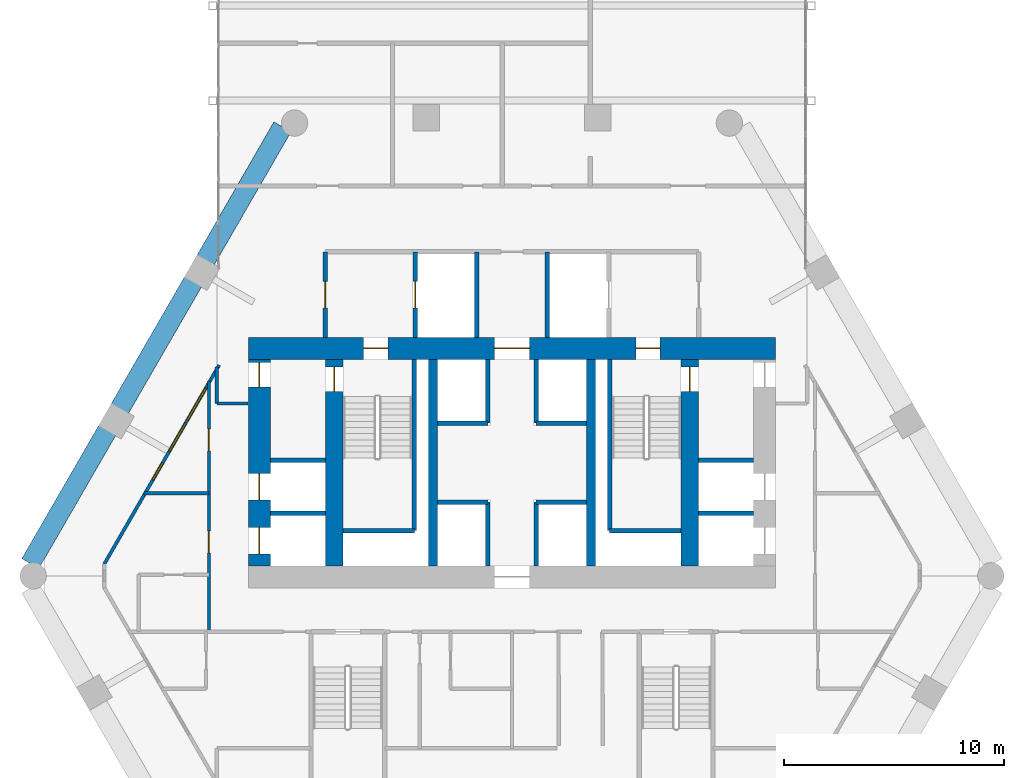
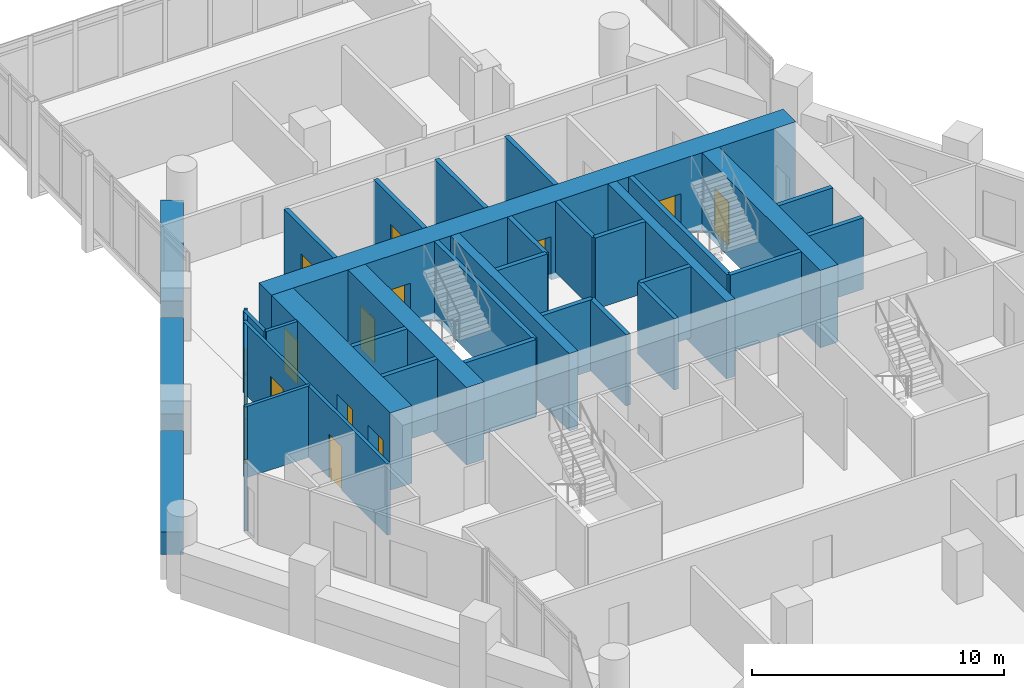
# One storey, part 25 of 28: 34 walls, 12 doors, 3 windows, 15 openings.
"""IFC4 building model written with IfcOpenShell, lengths in metres."""

from ifc_helpers import new_model, si_unit, direction, frame, frame_2d, origin, place, context, subcontext, project, spatial, rectangle, extrude, material, layer, layer_set, type_object, element, fill, save


model = new_model("IFC4")

# Units and contexts
model_context = context("Model", 3, precision=1e-05, world=origin(), true_north=direction((0.0, 1.0)))
body_context = subcontext(model_context, "Body", "Model", "MODEL_VIEW")
ifc_project = project(units=[si_unit("LENGTHUNIT", "METRE"), si_unit("AREAUNIT", "SQUARE_METRE"), si_unit("VOLUMEUNIT", "CUBIC_METRE"), si_unit("PLANEANGLEUNIT", "RADIAN"), si_unit("MASSUNIT", "GRAM", prefix="KILO")], contexts=[model_context])

# Site, building, storey
site_placement = place(None, origin())
site = spatial("IfcSite", under=ifc_project, at=site_placement, CompositionType="ELEMENT")
building_placement = place(site_placement, origin())
building = spatial("IfcBuilding", under=site, at=building_placement, Name="Ostrander Bayou Hotel Tower", CompositionType="ELEMENT")
storey_placement = place(building_placement, frame((0.0, 0.0, 142.25)))
storey = spatial("IfcBuildingStorey", under=building, at=storey_placement, Name="L35", CompositionType="ELEMENT", Elevation=142.25)

# Wall, openings, doors
ifc_material_1 = material(Name="Concrete f'c 70 MPa", Category="concrete")
ifc_layer_1 = layer(ifc_material_1, 1.0)
ifc_layer_set_1 = layer_set([ifc_layer_1], Name="CW4 core wall 1000 mm f'c 70 MPa")
wall_type_1 = type_object("IfcWallType", Name="CW4 core wall 1000 mm f'c 70 MPa", PredefinedType="SHEAR", material=ifc_layer_set_1)
wall_1_placement = place(storey_placement, frame((-12.0, 9.199951171875, -0.300048828125), z_axis=(0.0, 0.0, 1.0), x_axis=(1.0, 0.0, 0.0)))
wall_1 = element("IfcWall", 1, at=wall_1_placement, inside=storey, type_object=wall_type_1, Name="CW4 L35 N", PredefinedType="SHEAR", context=body_context, shape_type="SweptSolid", body=[
    extrude(rectangle(XDim=24.0, YDim=1.0, at=frame_2d((12.0, 0.0))), origin(), (0.0, 0.0, 1.0), 3.75),
])
opening_1_placement = place(wall_1_placement, frame((11.199951171875, 0.0, 0.0)))
opening_1 = element("IfcOpeningElement", 2, at=opening_1_placement, cuts=wall_1, Name="Opening T34-002", PredefinedType="OPENING", context=body_context, shape_type="SweptSolid", body=[
    extrude(rectangle(XDim=1.60009765625, YDim=2.10009765625, at=frame_2d((0.800048828125, 1.050048828125))), frame((0.0, 0.5, 0.0), z_axis=(0.0, -1.0, 0.0), x_axis=(1.0, 0.0, 0.0)), (0.0, 0.0, 1.0), 1.0),
])
opening_2_placement = place(wall_1_placement, frame((5.25, 0.0, 0.0)))
opening_2 = element("IfcOpeningElement", 3, at=opening_2_placement, cuts=wall_1, Name="Opening T34-003", PredefinedType="OPENING", context=body_context, shape_type="SweptSolid", body=[
    extrude(rectangle(XDim=1.10009765625, YDim=2.10009765625, at=frame_2d((0.550048828125, 1.050048828125))), frame((0.0, 0.5, 0.0), z_axis=(0.0, -1.0, 0.0), x_axis=(1.0, 0.0, 0.0)), (0.0, 0.0, 1.0), 1.0),
])
opening_3_placement = place(wall_1_placement, frame((17.64990234375, 0.0, 0.0)))
opening_3 = element("IfcOpeningElement", 4, at=opening_3_placement, cuts=wall_1, Name="Opening T34-005", PredefinedType="OPENING", context=body_context, shape_type="SweptSolid", body=[
    extrude(rectangle(XDim=1.10009765625, YDim=2.10009765625, at=frame_2d((0.550048828125, 1.050048828125))), frame((0.0, 0.5, 0.0), z_axis=(0.0, -1.0, 0.0), x_axis=(1.0, 0.0, 0.0)), (0.0, 0.0, 1.0), 1.0),
])
ifc_material_2 = material(Name="Timber door leaf", Category="wood")
door_type_1 = type_object("IfcDoorType", Name="D13 double door 1600 x 2100 mm, 1 hour", OperationType="SINGLE_SWING_LEFT", PredefinedType="DOOR", material=ifc_material_2)
door_1_placement = place(opening_1_placement, origin())
door_1 = element("IfcDoor", 5, at=door_1_placement, inside=storey, type_object=door_type_1, Name="dr:L35:002", OperationType="DOUBLE_DOOR_SINGLE_SWING", OverallHeight=2.10009765625, OverallWidth=1.60009765625, PredefinedType="DOOR", context=body_context, shape_type="SweptSolid", body=[
    extrude(rectangle(XDim=1.60009765625, YDim=2.10009765625, at=frame_2d((0.800048828125, 1.050048828125))), frame((0.0, 0.02490234375, 0.0), z_axis=(0.0, -1.0, 0.0), x_axis=(1.0, 0.0, 0.0)), (0.0, 0.0, 1.0), 0.050048828125),
])
fill(opening_1, door_1)
ifc_material_3 = material(Name="Timber door leaf", Category="wood")
door_type_2 = type_object("IfcDoorType", Name="D5 stair door 1100 x 2100 mm, 90 minute", OperationType="SINGLE_SWING_LEFT", PredefinedType="DOOR", material=ifc_material_3)
door_2_placement = place(opening_2_placement, origin())
door_2 = element("IfcDoor", 6, at=door_2_placement, inside=storey, type_object=door_type_2, Name="dr:L35:003", OperationType="SINGLE_SWING_LEFT", OverallHeight=2.10009765625, OverallWidth=1.10009765625, PredefinedType="DOOR", context=body_context, shape_type="SweptSolid", body=[
    extrude(rectangle(XDim=1.10009765625, YDim=2.10009765625, at=frame_2d((0.550048828125, 1.050048828125))), frame((0.0, 0.02490234375, 0.0), z_axis=(0.0, -1.0, 0.0), x_axis=(1.0, 0.0, 0.0)), (0.0, 0.0, 1.0), 0.050048828125),
])
fill(opening_2, door_2)
door_3_placement = place(opening_3_placement, origin())
door_3 = element("IfcDoor", 7, at=door_3_placement, inside=storey, type_object=door_type_2, Name="dr:L35:005", OperationType="SINGLE_SWING_RIGHT", OverallHeight=2.10009765625, OverallWidth=1.10009765625, PredefinedType="DOOR", context=body_context, shape_type="SweptSolid", body=[
    extrude(rectangle(XDim=1.10009765625, YDim=2.10009765625, at=frame_2d((0.550048828125, 1.050048828125))), frame((0.0, 0.02490234375, 0.0), z_axis=(0.0, -1.0, 0.0), x_axis=(1.0, 0.0, 0.0)), (0.0, 0.0, 1.0), 0.050048828125),
])
fill(opening_3, door_3)

wall_2_placement = place(storey_placement, frame((-11.5, -0.699951171875, -0.300048828125), z_axis=(0.0, 0.0, 1.0), x_axis=(0.0, 1.0, 0.0)))
wall_2 = element("IfcWall", 8, at=wall_2_placement, inside=storey, type_object=wall_type_1, Name="CW4 L35 RW", PredefinedType="SHEAR", context=body_context, shape_type="SweptSolid", body=[
    extrude(rectangle(XDim=9.39990234375, YDim=1.0, at=frame_2d((4.699951171875, 0.0))), origin(), (0.0, 0.0, 1.0), 3.75),
])
opening_4_placement = place(wall_2_placement, frame((8.14990234375, 0.0, 0.0)))
opening_4 = element("IfcOpeningElement", 9, at=opening_4_placement, cuts=wall_2, Name="Opening T34-014", PredefinedType="OPENING", context=body_context, shape_type="SweptSolid", body=[
    extrude(rectangle(XDim=1.10009765625, YDim=2.10009765625, at=frame_2d((0.550048828125, 1.050048828125))), frame((0.0, 0.5, 0.0), z_axis=(0.0, -1.0, 0.0), x_axis=(1.0, 0.0, 0.0)), (0.0, 0.0, 1.0), 1.0),
])
opening_5_placement = place(wall_2_placement, frame((0.550048828125, 0.0, 0.0)))
opening_5 = element("IfcOpeningElement", 10, at=opening_5_placement, cuts=wall_2, Name="Opening T34-015", PredefinedType="OPENING", context=body_context, shape_type="SweptSolid", body=[
    extrude(rectangle(XDim=1.199951171875, YDim=2.10009765625, at=frame_2d((0.60009765625, 1.050048828125))), frame((0.0, 0.5, 0.0), z_axis=(0.0, -1.0, 0.0), x_axis=(1.0, 0.0, 0.0)), (0.0, 0.0, 1.0), 1.0),
])
opening_6_placement = place(wall_2_placement, frame((3.0, 0.0, 0.0)))
opening_6 = element("IfcOpeningElement", 11, at=opening_6_placement, cuts=wall_2, Name="Opening T34-016", PredefinedType="OPENING", context=body_context, shape_type="SweptSolid", body=[
    extrude(rectangle(XDim=1.199951171875, YDim=2.10009765625, at=frame_2d((0.60009765625, 1.050048828125))), frame((0.0, 0.5, 0.0), z_axis=(0.0, -1.0, 0.0), x_axis=(1.0, 0.0, 0.0)), (0.0, 0.0, 1.0), 1.0),
])
door_4_placement = place(opening_4_placement, origin())
door_4 = element("IfcDoor", 12, at=door_4_placement, inside=storey, type_object=door_type_2, Name="dr:L35:014", OperationType="SINGLE_SWING_LEFT", OverallHeight=2.10009765625, OverallWidth=1.10009765625, PredefinedType="DOOR", context=body_context, shape_type="SweptSolid", body=[
    extrude(rectangle(XDim=1.10009765625, YDim=2.10009765625, at=frame_2d((0.550048828125, 1.050048828125))), frame((0.0, 0.02490234375, 0.0), z_axis=(0.0, -1.0, 0.0), x_axis=(1.0, 0.0, 0.0)), (0.0, 0.0, 1.0), 0.050048828125),
])
fill(opening_4, door_4)
ifc_material_4 = material(Name="Stainless steel sliding door", Category="steel")
door_type_3 = type_object("IfcDoorType", Name="LD1 lift landing door 1200 x 2100 mm", OperationType="SINGLE_SWING_LEFT", PredefinedType="DOOR", material=ifc_material_4)
door_5_placement = place(opening_5_placement, origin())
door_5 = element("IfcDoor", 13, at=door_5_placement, inside=storey, type_object=door_type_3, Name="dr:L35:015", OperationType="SLIDING_TO_LEFT", OverallHeight=2.10009765625, OverallWidth=1.199951171875, PredefinedType="DOOR", context=body_context, shape_type="SweptSolid", body=[
    extrude(rectangle(XDim=1.199951171875, YDim=2.10009765625, at=frame_2d((0.60009765625, 1.050048828125))), frame((0.0, 0.02490234375, 0.0), z_axis=(0.0, -1.0, 0.0), x_axis=(1.0, 0.0, 0.0)), (0.0, 0.0, 1.0), 0.050048828125),
])
fill(opening_5, door_5)
door_6_placement = place(opening_6_placement, origin())
door_6 = element("IfcDoor", 14, at=door_6_placement, inside=storey, type_object=door_type_3, Name="dr:L35:016", OperationType="SLIDING_TO_LEFT", OverallHeight=2.10009765625, OverallWidth=1.199951171875, PredefinedType="DOOR", context=body_context, shape_type="SweptSolid", body=[
    extrude(rectangle(XDim=1.199951171875, YDim=2.10009765625, at=frame_2d((0.60009765625, 1.050048828125))), frame((0.0, 0.02490234375, 0.0), z_axis=(0.0, -1.0, 0.0), x_axis=(1.0, 0.0, 0.0)), (0.0, 0.0, 1.0), 0.050048828125),
])
fill(opening_6, door_6)

# Wall, opening, door
ifc_material_5 = material(Name="Concrete f'c 70 MPa", Category="concrete")
ifc_layer_2 = layer(ifc_material_5, 0.800048828125)
ifc_layer_set_2 = layer_set([ifc_layer_2], Name="CW5 core spine wall 800 mm f'c 70 MPa")
wall_type_2 = type_object("IfcWallType", Name="CW5 core spine wall 800 mm f'c 70 MPa", PredefinedType="SHEAR", material=ifc_layer_set_2)
wall_3_placement = place(storey_placement, frame((-8.10009765625, -0.699951171875, -0.300048828125), z_axis=(0.0, 0.0, 1.0), x_axis=(0.0, 1.0, 0.0)))
wall_3 = element("IfcWall", 15, at=wall_3_placement, inside=storey, type_object=wall_type_2, Name="CW5 L35 W", PredefinedType="SHEAR", context=body_context, shape_type="SweptSolid", body=[
    extrude(rectangle(XDim=9.39990234375, YDim=0.800048828125, at=frame_2d((4.699951171875, 0.0))), origin(), (0.0, 0.0, 1.0), 3.75),
])
opening_7_placement = place(wall_3_placement, frame((7.949951171875, 0.0, 0.0)))
opening_7 = element("IfcOpeningElement", 16, at=opening_7_placement, cuts=wall_3, Name="Opening T34-004", PredefinedType="OPENING", context=body_context, shape_type="SweptSolid", body=[
    extrude(rectangle(XDim=1.10009765625, YDim=2.10009765625, at=frame_2d((0.550048828125, 1.050048828125))), frame((0.0, 0.39990234375, 0.0), z_axis=(0.0, -1.0, 0.0), x_axis=(1.0, 0.0, 0.0)), (0.0, 0.0, 1.0), 0.800048828125),
])
door_7_placement = place(opening_7_placement, origin())
door_7 = element("IfcDoor", 17, at=door_7_placement, inside=storey, type_object=door_type_2, Name="dr:L35:004", OperationType="SINGLE_SWING_RIGHT", OverallHeight=2.10009765625, OverallWidth=1.10009765625, PredefinedType="DOOR", context=body_context, shape_type="SweptSolid", body=[
    extrude(rectangle(XDim=1.10009765625, YDim=2.10009765625, at=frame_2d((0.550048828125, 1.050048828125))), frame((0.0, 0.02490234375, 0.0), z_axis=(0.0, -1.0, 0.0), x_axis=(1.0, 0.0, 0.0)), (0.0, 0.0, 1.0), 0.050048828125),
])
fill(opening_7, door_7)

wall_4_placement = place(storey_placement, frame((8.10009765625, -0.699951171875, -0.300048828125), z_axis=(0.0, 0.0, 1.0), x_axis=(0.0, 1.0, 0.0)))
wall_4 = element("IfcWall", 18, at=wall_4_placement, inside=storey, type_object=wall_type_2, Name="CW5 L35 E", PredefinedType="SHEAR", context=body_context, shape_type="SweptSolid", body=[
    extrude(rectangle(XDim=9.39990234375, YDim=0.800048828125, at=frame_2d((4.699951171875, 0.0))), origin(), (0.0, 0.0, 1.0), 3.75),
])
opening_8_placement = place(wall_4_placement, frame((7.949951171875, 0.0, 0.0)))
opening_8 = element("IfcOpeningElement", 19, at=opening_8_placement, cuts=wall_4, Name="Opening T34-006", PredefinedType="OPENING", context=body_context, shape_type="SweptSolid", body=[
    extrude(rectangle(XDim=1.10009765625, YDim=2.10009765625, at=frame_2d((0.550048828125, 1.050048828125))), frame((0.0, 0.39990234375, 0.0), z_axis=(0.0, -1.0, 0.0), x_axis=(1.0, 0.0, 0.0)), (0.0, 0.0, 1.0), 0.800048828125),
])
door_8_placement = place(opening_8_placement, origin())
door_8 = element("IfcDoor", 20, at=door_8_placement, inside=storey, type_object=door_type_2, Name="dr:L35:006", OperationType="SINGLE_SWING_LEFT", OverallHeight=2.10009765625, OverallWidth=1.10009765625, PredefinedType="DOOR", context=body_context, shape_type="SweptSolid", body=[
    extrude(rectangle(XDim=1.10009765625, YDim=2.10009765625, at=frame_2d((0.550048828125, 1.050048828125))), frame((0.0, 0.02490234375, 0.0), z_axis=(0.0, -1.0, 0.0), x_axis=(1.0, 0.0, 0.0)), (0.0, 0.0, 1.0), 0.050048828125),
])
fill(opening_8, door_8)

# Walls
ifc_material_6 = material(Name="Concrete f'c 70 MPa", Category="concrete")
ifc_layer_3 = layer(ifc_material_6, 0.39990234375)
ifc_layer_set_3 = layer_set([ifc_layer_3], Name="CW6 core bank wall 400 mm f'c 70 MPa")
wall_type_3 = type_object("IfcWallType", Name="CW6 core bank wall 400 mm f'c 70 MPa", PredefinedType="SHEAR", material=ifc_layer_set_3)
for number, where, z_axis, x_axis, name in (
    (21, (-3.60009765625, -0.699951171875, -0.300048828125), (0.0, 0.0, 1.0), (0.0, 1.0, 0.0), "CW6 L35 CW"),
    (22, (3.60009765625, -0.699951171875, -0.300048828125), (0.0, 0.0, 1.0), (0.0, 1.0, 0.0), "CW6 L35 CE"),
):
    element("IfcWall", number, at=place(storey_placement, frame(where, z_axis=z_axis, x_axis=x_axis)), inside=storey, type_object=wall_type_3, Name=name, PredefinedType="SHEAR", context=body_context, shape_type="SweptSolid", body=[
        extrude(rectangle(XDim=9.39990234375, YDim=0.39990234375, at=frame_2d((4.699951171875, 0.0))), origin(), (0.0, 0.0, 1.0), 3.75),
    ])

# Wall, openings, windows
ifc_material_7 = material(Name="Aluminium framed insulated wall", Category="aluminium")
ifc_layer_4 = layer(ifc_material_7, 0.14990234375)
ifc_layer_set_4 = layer_set([ifc_layer_4], Name="GW1 glass-line wall 150 mm")
wall_type_4 = type_object("IfcWallType", Name="GW1 glass-line wall 150 mm", PredefinedType="SOLIDWALL", material=ifc_layer_set_4)
wall_5_placement = place(storey_placement, frame((-13.333984375, 8.44189453125, 0.0), z_axis=(0.0, 0.0, 1.0), x_axis=(-0.499994317138, -0.866028684761, 0.0)))
wall_5 = element("IfcWall", 23, at=wall_5_placement, inside=storey, type_object=wall_type_4, Name="GW1 L35 NW 1", PredefinedType="SOLIDWALL", context=body_context, shape_type="SweptSolid", body=[
    extrude(rectangle(XDim=10.46826171875, YDim=0.14990234375, at=frame_2d((5.234130859375, 0.0))), origin(), (0.0, 0.0, 1.0), 3.449951171875),
])
opening_9_placement = place(wall_5_placement, frame((1.2041015625, 0.0, 0.14990234375)))
opening_9 = element("IfcOpeningElement", 24, at=opening_9_placement, cuts=wall_5, Name="Opening W8", PredefinedType="OPENING", context=body_context, shape_type="SweptSolid", body=[
    extrude(rectangle(XDim=1.699951171875, YDim=2.199951171875, at=frame_2d((0.85009765625, 1.10009765625))), frame((0.0, 0.074951171875, 0.0), z_axis=(0.0, -1.0, 0.0), x_axis=(1.0, 0.0, 0.0)), (0.0, 0.0, 1.0), 0.14990234375),
])
opening_10_placement = place(wall_5_placement, frame((3.0439453125, 0.0, 0.14990234375)))
opening_10 = element("IfcOpeningElement", 25, at=opening_10_placement, cuts=wall_5, Name="Opening W12", PredefinedType="OPENING", context=body_context, shape_type="SweptSolid", body=[
    extrude(rectangle(XDim=1.5, YDim=2.199951171875, at=frame_2d((0.75, 1.10009765625))), frame((0.0, 0.074951171875, 0.0), z_axis=(0.0, -1.0, 0.0), x_axis=(1.0, 0.0, 0.0)), (0.0, 0.0, 1.0), 0.14990234375),
])
opening_11_placement = place(wall_5_placement, frame((5.14404296875, 0.0, 0.14990234375)))
opening_11 = element("IfcOpeningElement", 26, at=opening_11_placement, cuts=wall_5, Name="Opening W16", PredefinedType="OPENING", context=body_context, shape_type="SweptSolid", body=[
    extrude(rectangle(XDim=0.89990234375, YDim=2.199951171875, at=frame_2d((0.449951171875, 1.10009765625))), frame((0.0, 0.074951171875, 0.0), z_axis=(0.0, -1.0, 0.0), x_axis=(1.0, 0.0, 0.0)), (0.0, 0.0, 1.0), 0.14990234375),
])
ifc_material_8 = material(Name="Aluminium and clear glass", Category="aluminium")
window_type_1 = type_object("IfcWindowType", Name="W12 fixed window 1500 mm, bath bay, zone 2", PartitioningType="SINGLE_PANEL", PredefinedType="WINDOW", material=ifc_material_8)
window_1_placement = place(opening_10_placement, origin())
window_1 = element("IfcWindow", 27, at=window_1_placement, inside=storey, type_object=window_type_1, Name="W12 L35 NW 3", OverallHeight=2.199951171875, OverallWidth=1.5, PartitioningType="SINGLE_PANEL", PredefinedType="WINDOW", context=body_context, shape_type="SweptSolid", body=[
    extrude(rectangle(XDim=1.5, YDim=2.199951171875, at=frame_2d((0.75, 1.10009765625))), frame((0.0, 0.030029296875, 0.0), z_axis=(0.0, -1.0, 0.0), x_axis=(1.0, 0.0, 0.0)), (0.0, 0.0, 1.0), 0.06005859375),
])
fill(opening_10, window_1)
ifc_material_9 = material(Name="Aluminium and clear glass", Category="aluminium")
window_type_2 = type_object("IfcWindowType", Name="W16 window 900 mm, zone 2", PartitioningType="SINGLE_PANEL", PredefinedType="WINDOW", material=ifc_material_9)
window_2_placement = place(opening_11_placement, origin())
window_2 = element("IfcWindow", 28, at=window_2_placement, inside=storey, type_object=window_type_2, Name="W16 L35 NW 4", OverallHeight=2.199951171875, OverallWidth=0.89990234375, PartitioningType="SINGLE_PANEL", PredefinedType="WINDOW", context=body_context, shape_type="SweptSolid", body=[
    extrude(rectangle(XDim=0.89990234375, YDim=2.199951171875, at=frame_2d((0.449951171875, 1.10009765625))), frame((0.0, 0.030029296875, 0.0), z_axis=(0.0, -1.0, 0.0), x_axis=(1.0, 0.0, 0.0)), (0.0, 0.0, 1.0), 0.06005859375),
])
fill(opening_11, window_2)
ifc_material_10 = material(Name="Aluminium and clear glass", Category="aluminium")
window_type_3 = type_object("IfcWindowType", Name="W8 fixed window 1700 mm, bar storeys, zone 2", PartitioningType="SINGLE_PANEL", PredefinedType="WINDOW", material=ifc_material_10)
window_3_placement = place(opening_9_placement, origin())
window_3 = element("IfcWindow", 29, at=window_3_placement, inside=storey, type_object=window_type_3, Name="W8 L35 NW 3", OverallHeight=2.199951171875, OverallWidth=1.699951171875, PartitioningType="SINGLE_PANEL", PredefinedType="WINDOW", context=body_context, shape_type="SweptSolid", body=[
    extrude(rectangle(XDim=1.699951171875, YDim=2.199951171875, at=frame_2d((0.85009765625, 1.10009765625))), frame((0.0, 0.030029296875, 0.0), z_axis=(0.0, -1.0, 0.0), x_axis=(1.0, 0.0, 0.0)), (0.0, 0.0, 1.0), 0.06005859375),
])
fill(opening_9, window_3)

# Walls
ifc_material_11 = material(Name="Concrete f'c 40 MPa", Category="concrete")
ifc_layer_5 = layer(ifc_material_11, 0.89990234375)
ifc_layer_set_5 = layer_set([ifc_layer_5], Name="PA1 stone-faced parapet 900 mm")
wall_type_5 = type_object("IfcWallType", Name="PA1 stone-faced parapet 900 mm", PredefinedType="PARAPET", material=ifc_layer_set_5)
wall_6_placement = place(storey_placement, frame((-10.450439453125, 19.286376953125, 0.0), z_axis=(0.0, 0.0, 1.0), x_axis=(-0.499991127072, -0.866030526511, 0.0)))
element("IfcWall", 30, at=wall_6_placement, inside=storey, type_object=wall_type_5, Name="PA1 L35 NW-1", PredefinedType="PARAPET", context=body_context, shape_type="SweptSolid", body=[
    extrude(rectangle(XDim=7.000732421875, YDim=0.89990234375, at=frame_2d((3.50048828125, 0.0))), origin(), (0.0, 0.0, 1.0), 1.10009765625),
])
wall_7_placement = place(storey_placement, frame((-14.520751953125, 12.236572265625, 0.0), z_axis=(0.0, 0.0, 1.0), x_axis=(-0.499983182885, -0.866035112932, 0.0)))
element("IfcWall", 31, at=wall_7_placement, inside=storey, type_object=wall_type_5, Name="PA1 L35 NW-2", PredefinedType="PARAPET", context=body_context, shape_type="SweptSolid", body=[
    extrude(rectangle(XDim=6.673583984375, YDim=0.89990234375, at=frame_2d((3.3369140625, 0.0))), origin(), (0.0, 0.0, 1.0), 1.10009765625),
])
wall_8_placement = place(storey_placement, frame((-18.427490234375, 5.4697265625, 0.0), z_axis=(0.0, 0.0, 1.0), x_axis=(-0.499991127072, -0.866030526511, 0.0)))
element("IfcWall", 32, at=wall_8_placement, inside=storey, type_object=wall_type_5, Name="PA1 L35 NW-3", PredefinedType="PARAPET", context=body_context, shape_type="SweptSolid", body=[
    extrude(rectangle(XDim=7.000732421875, YDim=0.89990234375, at=frame_2d((3.50048828125, 0.0))), origin(), (0.0, 0.0, 1.0), 1.10009765625),
])

# Wall, opening, door
ifc_material_12 = material(Name="Masonry block", Category="masonry")
ifc_layer_6 = layer(ifc_material_12, 0.199951171875)
ifc_layer_set_6 = layer_set([ifc_layer_6], Name="PT5 stair enclosure wall 200 mm masonry, 2 hour")
wall_type_6 = type_object("IfcWallType", Name="PT5 stair enclosure wall 200 mm masonry, 2 hour", PredefinedType="PARTITIONING", material=ifc_layer_set_6)
wall_9_placement = place(storey_placement, frame((-8.5, 9.699951171875, 0.0), z_axis=(0.0, 0.0, 1.0), x_axis=(0.0, 1.0, 0.0)))
wall_9 = element("IfcWall", 33, at=wall_9_placement, inside=storey, type_object=wall_type_6, Name="cs:L35:022", PredefinedType="PARTITIONING", context=body_context, shape_type="SweptSolid", body=[
    extrude(rectangle(XDim=3.900146484375, YDim=0.199951171875, at=frame_2d((1.9501953125, 0.0))), origin(), (0.0, 0.0, 1.0), 3.449951171875),
])
opening_12_placement = place(wall_9_placement, frame((1.35009765625, 0.0, 0.0)))
opening_12 = element("IfcOpeningElement", 34, at=opening_12_placement, cuts=wall_9, Name="Opening T34-010", PredefinedType="OPENING", context=body_context, shape_type="SweptSolid", body=[
    extrude(rectangle(XDim=1.199951171875, YDim=2.10009765625, at=frame_2d((0.60009765625, 1.050048828125))), frame((0.0, 0.10009765625, 0.0), z_axis=(0.0, -1.0, 0.0), x_axis=(1.0, 0.0, 0.0)), (0.0, 0.0, 1.0), 0.199951171875),
])
ifc_material_13 = material(Name="Timber door leaf", Category="wood")
door_type_4 = type_object("IfcDoorType", Name="D7 lobby door 1200 x 2100 mm, 1 hour", OperationType="SINGLE_SWING_LEFT", PredefinedType="DOOR", material=ifc_material_13)
door_9_placement = place(opening_12_placement, origin())
door_9 = element("IfcDoor", 35, at=door_9_placement, inside=storey, type_object=door_type_4, Name="dr:L35:010", OperationType="SINGLE_SWING_LEFT", OverallHeight=2.10009765625, OverallWidth=1.199951171875, PredefinedType="DOOR", context=body_context, shape_type="SweptSolid", body=[
    extrude(rectangle(XDim=1.199951171875, YDim=2.10009765625, at=frame_2d((0.60009765625, 1.050048828125))), frame((0.0, 0.02490234375, 0.0), z_axis=(0.0, -1.0, 0.0), x_axis=(1.0, 0.0, 0.0)), (0.0, 0.0, 1.0), 0.050048828125),
])
fill(opening_12, door_9)

wall_10_placement = place(storey_placement, frame((-4.39990234375, 9.699951171875, 0.0), z_axis=(0.0, 0.0, 1.0), x_axis=(0.0, 1.0, 0.0)))
wall_10 = element("IfcWall", 36, at=wall_10_placement, inside=storey, type_object=wall_type_6, Name="cs:L35:024", PredefinedType="PARTITIONING", context=body_context, shape_type="SweptSolid", body=[
    extrude(rectangle(XDim=3.900146484375, YDim=0.199951171875, at=frame_2d((1.9501953125, 0.0))), origin(), (0.0, 0.0, 1.0), 3.449951171875),
])
opening_13_placement = place(wall_10_placement, frame((1.35009765625, 0.0, 0.0)))
opening_13 = element("IfcOpeningElement", 37, at=opening_13_placement, cuts=wall_10, Name="Opening T34-009", PredefinedType="OPENING", context=body_context, shape_type="SweptSolid", body=[
    extrude(rectangle(XDim=1.199951171875, YDim=2.10009765625, at=frame_2d((0.60009765625, 1.050048828125))), frame((0.0, 0.10009765625, 0.0), z_axis=(0.0, -1.0, 0.0), x_axis=(1.0, 0.0, 0.0)), (0.0, 0.0, 1.0), 0.199951171875),
])
door_10_placement = place(opening_13_placement, origin())
door_10 = element("IfcDoor", 38, at=door_10_placement, inside=storey, type_object=door_type_3, Name="dr:L35:009", OperationType="SLIDING_TO_LEFT", OverallHeight=2.10009765625, OverallWidth=1.199951171875, PredefinedType="DOOR", context=body_context, shape_type="SweptSolid", body=[
    extrude(rectangle(XDim=1.199951171875, YDim=2.10009765625, at=frame_2d((0.60009765625, 1.050048828125))), frame((0.0, 0.02490234375, 0.0), z_axis=(0.0, -1.0, 0.0), x_axis=(1.0, 0.0, 0.0)), (0.0, 0.0, 1.0), 0.050048828125),
])
fill(opening_13, door_10)

# Walls
ifc_material_14 = material(Name="Masonry block", Category="masonry")
ifc_layer_7 = layer(ifc_material_14, 0.199951171875)
ifc_layer_set_7 = layer_set([ifc_layer_7], Name="PT6 lift shaft wall 200 mm masonry, 2 hour")
wall_type_7 = type_object("IfcWallType", Name="PT6 lift shaft wall 200 mm masonry, 2 hour", PredefinedType="PARTITIONING", material=ifc_layer_set_7)
for number, where, z_axis, x_axis, name in (
    (39, (-3.39990234375, 2.199951171875, 0.0), (0.0, 0.0, 1.0), (1.0, 0.0, 0.0), "cs:L35:001"),
    (40, (-3.39990234375, 5.800048828125, 0.0), (0.0, 0.0, 1.0), (1.0, 0.0, 0.0), "cs:L35:002"),
    (41, (1.10009765625, 2.199951171875, 0.0), (0.0, 0.0, 1.0), (1.0, 0.0, 0.0), "cs:L35:003"),
    (42, (1.10009765625, 5.800048828125, 0.0), (0.0, 0.0, 1.0), (1.0, 0.0, 0.0), "cs:L35:004"),
):
    element("IfcWall", number, at=place(storey_placement, frame(where, z_axis=z_axis, x_axis=x_axis)), inside=storey, type_object=wall_type_7, Name=name, PredefinedType="PARTITIONING", context=body_context, shape_type="SweptSolid", body=[
        extrude(rectangle(XDim=2.2998046875, YDim=0.199951171875, at=frame_2d((1.14990234375, 0.0))), origin(), (0.0, 0.0, 1.0), 3.449951171875),
    ])
for number, where, z_axis, x_axis, name in (
    (43, (-1.10009765625, -0.699951171875, 0.0), (0.0, 0.0, 1.0), (0.0, 1.0, 0.0), "cs:L35:005"),
    (44, (1.10009765625, -0.699951171875, 0.0), (0.0, 0.0, 1.0), (0.0, 1.0, 0.0), "cs:L35:006"),
    (45, (-1.10009765625, 5.800048828125, 0.0), (0.0, 0.0, 1.0), (0.0, 1.0, 0.0), "cs:L35:007"),
    (46, (1.10009765625, 5.800048828125, 0.0), (0.0, 0.0, 1.0), (0.0, 1.0, 0.0), "cs:L35:008"),
):
    element("IfcWall", number, at=place(storey_placement, frame(where, z_axis=z_axis, x_axis=x_axis)), inside=storey, type_object=wall_type_7, Name=name, PredefinedType="PARTITIONING", context=body_context, shape_type="SweptSolid", body=[
        extrude(rectangle(XDim=2.89990234375, YDim=0.199951171875, at=frame_2d((1.449951171875, 0.0))), origin(), (0.0, 0.0, 1.0), 3.449951171875),
    ])
for number, where, z_axis, x_axis, name in (
    (47, (-1.60009765625, 9.699951171875, 0.0), (0.0, 0.0, 1.0), (0.0, 1.0, 0.0), "cs:L35:026"),
    (48, (1.60009765625, 9.699951171875, 0.0), (0.0, 0.0, 1.0), (0.0, 1.0, 0.0), "cs:L35:027"),
):
    element("IfcWall", number, at=place(storey_placement, frame(where, z_axis=z_axis, x_axis=x_axis)), inside=storey, type_object=wall_type_7, Name=name, PredefinedType="PARTITIONING", context=body_context, shape_type="SweptSolid", body=[
        extrude(rectangle(XDim=3.900146484375, YDim=0.199951171875, at=frame_2d((1.9501953125, 0.0))), origin(), (0.0, 0.0, 1.0), 3.449951171875),
    ])
for number, where, z_axis, x_axis, name in (
    (49, (-11.0, 1.699951171875, 0.0), (0.0, 0.0, 1.0), (1.0, 0.0, 0.0), "cs:L35:028"),
    (50, (-11.0, 4.10009765625, 0.0), (0.0, 0.0, 1.0), (1.0, 0.0, 0.0), "cs:L35:029"),
    (51, (8.5, 1.699951171875, 0.0), (0.0, 0.0, 1.0), (1.0, 0.0, 0.0), "cs:L35:030"),
    (52, (8.5, 4.10009765625, 0.0), (0.0, 0.0, 1.0), (1.0, 0.0, 0.0), "cs:L35:031"),
):
    element("IfcWall", number, at=place(storey_placement, frame(where, z_axis=z_axis, x_axis=x_axis)), inside=storey, type_object=wall_type_7, Name=name, PredefinedType="PARTITIONING", context=body_context, shape_type="SweptSolid", body=[
        extrude(rectangle(XDim=2.5, YDim=0.199951171875, at=frame_2d((1.25, 0.0))), origin(), (0.0, 0.0, 1.0), 3.449951171875),
    ])
ifc_material_15 = material(Name="Gypsum board partition", Category="finish")
ifc_layer_8 = layer(ifc_material_15, 0.14990234375)
ifc_layer_set_8 = layer_set([ifc_layer_8], Name="PT8 service band wall 150 mm, 1 hour")
wall_type_8 = type_object("IfcWallType", Name="PT8 service band wall 150 mm, 1 hour", PredefinedType="PARTITIONING", material=ifc_layer_set_8)
wall_11_placement = place(storey_placement, frame((-16.759033203125, 2.60009765625, 0.0), z_axis=(0.0, 0.0, 1.0), x_axis=(1.0, 0.0, 0.0)))
element("IfcWall", 53, at=wall_11_placement, inside=storey, type_object=wall_type_8, Name="gw:L35:012", PredefinedType="PARTITIONING", context=body_context, shape_type="SweptSolid", body=[
    extrude(rectangle(XDim=2.958984375, YDim=0.14990234375, at=frame_2d((1.4794921875, 0.0))), origin(), (0.0, 0.0, 1.0), 3.449951171875),
])
wall_12_placement = place(storey_placement, frame((-13.43994140625, 6.695068359375, 0.0), z_axis=(0.0, 0.0, 1.0), x_axis=(1.0, 0.0, 0.0)))
element("IfcWall", 54, at=wall_12_placement, inside=storey, type_object=wall_type_8, Name="gw:L35:014", PredefinedType="PARTITIONING", context=body_context, shape_type="SweptSolid", body=[
    extrude(rectangle(XDim=1.429931640625, YDim=0.14990234375, at=frame_2d((0.71484375, 0.0))), origin(), (0.0, 0.0, 1.0), 3.449951171875),
])
wall_13_placement = place(storey_placement, frame((-13.43994140625, 6.695068359375, 0.0), z_axis=(0.0, 0.0, 1.0), x_axis=(0.0, 1.0, 0.0)))
element("IfcWall", 55, at=wall_13_placement, inside=storey, type_object=wall_type_8, Name="gw:L35:024", PredefinedType="PARTITIONING", context=body_context, shape_type="SweptSolid", body=[
    extrude(rectangle(XDim=1.65283203125, YDim=0.14990234375, at=frame_2d((0.826416015625, 0.0))), origin(), (0.0, 0.0, 1.0), 3.449951171875),
])

# Wall, openings, doors
wall_14_placement = place(storey_placement, frame((-13.800048828125, -3.699951171875, 0.0), z_axis=(0.0, 0.0, 1.0), x_axis=(0.0, 1.0, 0.0)))
wall_14 = element("IfcWall", 56, at=wall_14_placement, inside=storey, type_object=wall_type_8, Name="gw:L35:025", PredefinedType="PARTITIONING", context=body_context, shape_type="SweptSolid", body=[
    extrude(rectangle(XDim=11.425048828125, YDim=0.14990234375, at=frame_2d((5.71240234375, 0.0))), origin(), (0.0, 0.0, 1.0), 3.449951171875),
])
opening_14_placement = place(wall_14_placement, frame((3.594970703125, 0.0, 0.0)))
opening_14 = element("IfcOpeningElement", 57, at=opening_14_placement, cuts=wall_14, Name="Opening T34-408", PredefinedType="OPENING", context=body_context, shape_type="SweptSolid", body=[
    extrude(rectangle(XDim=1.0, YDim=2.10009765625, at=frame_2d((0.5, 1.050048828125))), frame((0.0, 0.074951171875, 0.0), z_axis=(0.0, -1.0, 0.0), x_axis=(1.0, 0.0, 0.0)), (0.0, 0.0, 1.0), 0.14990234375),
])
opening_15_placement = place(wall_14_placement, frame((8.239990234375, 0.0, 0.0)))
opening_15 = element("IfcOpeningElement", 58, at=opening_15_placement, cuts=wall_14, Name="Opening T34-410", PredefinedType="OPENING", context=body_context, shape_type="SweptSolid", body=[
    extrude(rectangle(XDim=1.0, YDim=2.10009765625, at=frame_2d((0.5, 1.050048828125))), frame((0.0, 0.074951171875, 0.0), z_axis=(0.0, -1.0, 0.0), x_axis=(1.0, 0.0, 0.0)), (0.0, 0.0, 1.0), 0.14990234375),
])
ifc_material_16 = material(Name="Timber door leaf", Category="wood")
door_type_5 = type_object("IfcDoorType", Name="D15 room door 1000 x 2100 mm", OperationType="SINGLE_SWING_LEFT", PredefinedType="DOOR", material=ifc_material_16)
door_11_placement = place(opening_14_placement, origin())
door_11 = element("IfcDoor", 59, at=door_11_placement, inside=storey, type_object=door_type_5, Name="dr:L35:408", OperationType="SINGLE_SWING_RIGHT", OverallHeight=2.10009765625, OverallWidth=1.0, PredefinedType="DOOR", context=body_context, shape_type="SweptSolid", body=[
    extrude(rectangle(XDim=1.0, YDim=2.10009765625, at=frame_2d((0.5, 1.050048828125))), frame((0.0, 0.02490234375, 0.0), z_axis=(0.0, -1.0, 0.0), x_axis=(1.0, 0.0, 0.0)), (0.0, 0.0, 1.0), 0.050048828125),
])
fill(opening_14, door_11)
ifc_material_17 = material(Name="Timber door leaf", Category="wood")
door_type_6 = type_object("IfcDoorType", Name="D9 service door 1000 x 2100 mm, 30 minute", OperationType="SINGLE_SWING_LEFT", PredefinedType="DOOR", material=ifc_material_17)
door_12_placement = place(opening_15_placement, origin())
door_12 = element("IfcDoor", 60, at=door_12_placement, inside=storey, type_object=door_type_6, Name="dr:L35:410", OperationType="SINGLE_SWING_LEFT", OverallHeight=2.10009765625, OverallWidth=1.0, PredefinedType="DOOR", context=body_context, shape_type="SweptSolid", body=[
    extrude(rectangle(XDim=1.0, YDim=2.10009765625, at=frame_2d((0.5, 1.050048828125))), frame((0.0, 0.02490234375, 0.0), z_axis=(0.0, -1.0, 0.0), x_axis=(1.0, 0.0, 0.0)), (0.0, 0.0, 1.0), 0.050048828125),
])
fill(opening_15, door_12)

# Walls
ifc_material_18 = material(Name="Concrete f'c 45 MPa", Category="concrete")
ifc_layer_9 = layer(ifc_material_18, 0.199951171875)
ifc_layer_set_9 = layer_set([ifc_layer_9], Name="SW5 stair enclosure wall 200 mm f'c 45 MPa")
wall_type_9 = type_object("IfcWallType", Name="SW5 stair enclosure wall 200 mm f'c 45 MPa", PredefinedType="SOLIDWALL", material=ifc_layer_set_9)
wall_15_placement = place(storey_placement, frame((-4.449951171875, 0.89990234375, -0.300048828125), z_axis=(0.0, 0.0, 1.0), x_axis=(0.0, 1.0, 0.0)))
element("IfcWall", 61, at=wall_15_placement, inside=storey, type_object=wall_type_9, Name="cs:L35:009", PredefinedType="SOLIDWALL", context=body_context, shape_type="SweptSolid", body=[
    extrude(rectangle(XDim=7.800048828125, YDim=0.199951171875, at=frame_2d((3.89990234375, 0.0))), origin(), (0.0, 0.0, 1.0), 3.75),
])
wall_16_placement = place(storey_placement, frame((-7.699951171875, 0.89990234375, -0.300048828125), z_axis=(0.0, 0.0, 1.0), x_axis=(1.0, 0.0, 0.0)))
element("IfcWall", 62, at=wall_16_placement, inside=storey, type_object=wall_type_9, Name="cs:L35:010", PredefinedType="SOLIDWALL", context=body_context, shape_type="SweptSolid", body=[
    extrude(rectangle(XDim=3.25, YDim=0.199951171875, at=frame_2d((1.625, 0.0))), origin(), (0.0, 0.0, 1.0), 3.75),
])
wall_17_placement = place(storey_placement, frame((4.449951171875, 0.89990234375, -0.300048828125), z_axis=(0.0, 0.0, 1.0), x_axis=(0.0, 1.0, 0.0)))
element("IfcWall", 63, at=wall_17_placement, inside=storey, type_object=wall_type_9, Name="cs:L35:011", PredefinedType="SOLIDWALL", context=body_context, shape_type="SweptSolid", body=[
    extrude(rectangle(XDim=7.800048828125, YDim=0.199951171875, at=frame_2d((3.89990234375, 0.0))), origin(), (0.0, 0.0, 1.0), 3.75),
])
wall_18_placement = place(storey_placement, frame((4.449951171875, 0.89990234375, -0.300048828125), z_axis=(0.0, 0.0, 1.0), x_axis=(1.0, 0.0, 0.0)))
element("IfcWall", 64, at=wall_18_placement, inside=storey, type_object=wall_type_9, Name="cs:L35:012", PredefinedType="SOLIDWALL", context=body_context, shape_type="SweptSolid", body=[
    extrude(rectangle(XDim=3.25, YDim=0.199951171875, at=frame_2d((1.625, 0.0))), origin(), (0.0, 0.0, 1.0), 3.75),
])

save(model, "model.ifc")
